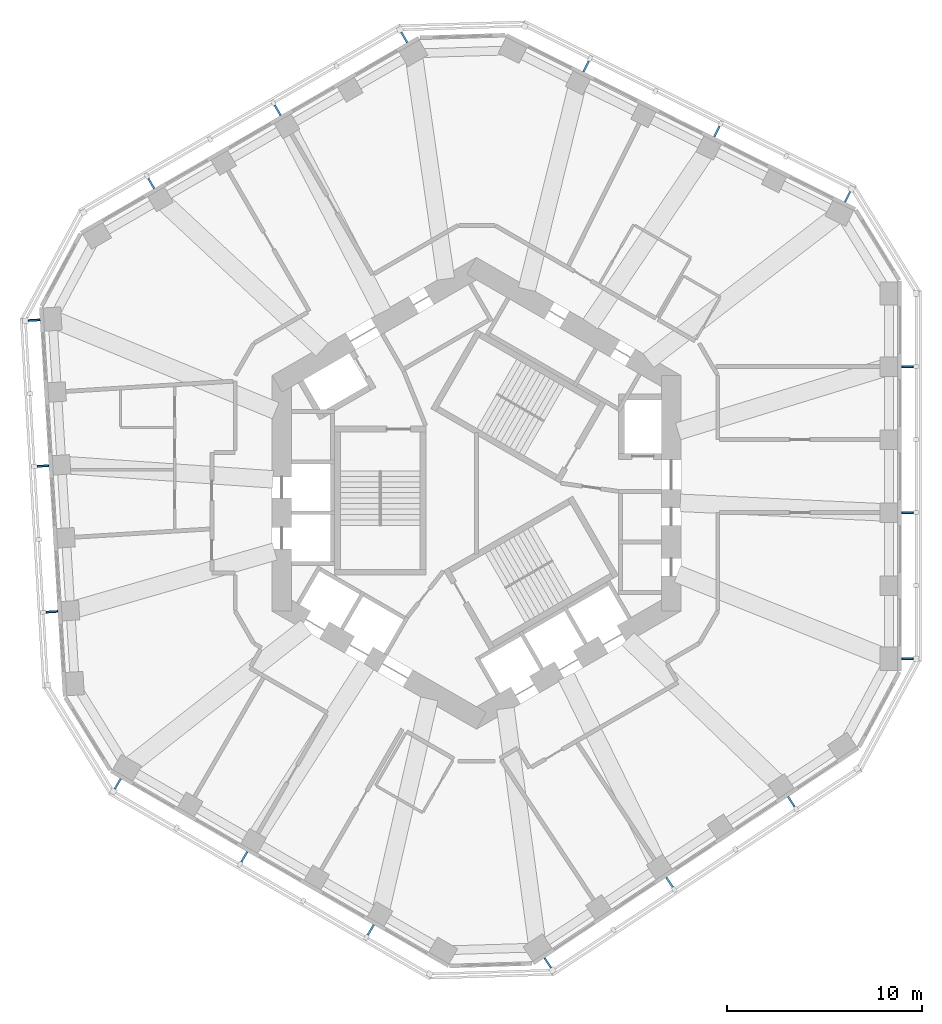
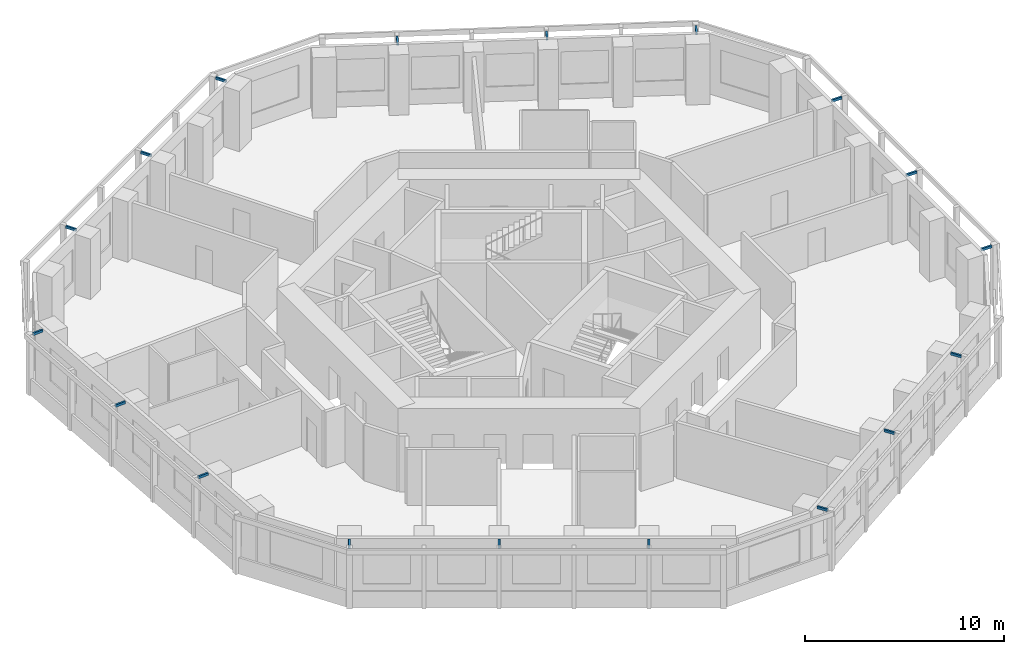
# One storey, part 9 of 10: 18 discrete accessories.
"""IFC4 building model written with IfcOpenShell, lengths in metres."""

import ifcopenshell
import ifcopenshell.guid

model = None  # the IFC model being written
_history = None  # IfcOwnerHistory: only IFC2X3 demands one
_inside = {}  # id of a spatial element -> (the spatial element, [elements in it])
_under = {}  # id of a project, library or spatial element -> (it, [spatial elements below it])
_declared = {}  # id of a project -> (the project, [libraries it declares])
_typed = {}  # id of a type object -> (the type object, [elements of that type])
_made_of = {}  # id of a material, layer set ... -> (it, [elements and type objects made of it])


def new_model(schema):
    """Start an empty IFC model of exactly this schema.

    Asked for "IFC4X3", IfcOpenShell would pick the latest addendum, in which some entities
    have other attributes; the version numbers below select the first issue.
    IFC2X3 requires an IfcOwnerHistory on every rooted entity: one is made here for all.
    """
    global model, _history
    if schema == "IFC4X3":
        model = ifcopenshell.file(schema_version=(4, 3, 0, 0))
    else:
        model = ifcopenshell.file(schema=schema)
    _inside.clear()
    _under.clear()
    _declared.clear()
    _typed.clear()
    _made_of.clear()
    _history = None
    if model.schema == "IFC2X3":
        org = make("IfcOrganization", Name="unknown")
        user = make(
            "IfcPersonAndOrganization",
            ThePerson=make("IfcPerson", FamilyName="unknown"),
            TheOrganization=org,
        )
        app = make(
            "IfcApplication",
            ApplicationDeveloper=org,
            Version="unknown",
            ApplicationFullName="unknown",
            ApplicationIdentifier="unknown",
        )
        _history = make(
            "IfcOwnerHistory",
            OwningUser=user,
            OwningApplication=app,
            ChangeAction="ADDED",
            CreationDate=0,
        )
    return model


def make(cls, **values):
    """One entity of the class cls with the attributes given. An attribute that is None is left unset."""
    return model.create_entity(
        cls, **{name: value for name, value in values.items() if value is not None}
    )


def rooted(cls, **values):
    """An entity with a GlobalId (a new one), such as an element, a storey or a relation."""
    return make(cls, GlobalId=ifcopenshell.guid.new(), OwnerHistory=_history, **values)


def si_unit(unit_type, name, prefix=None):
    """IfcSIUnit, for example si_unit("LENGTHUNIT", "METRE", prefix="MILLI")."""
    return make("IfcSIUnit", UnitType=unit_type, Prefix=prefix, Name=name)


def assignment(units):
    """IfcUnitAssignment: the units of a project."""
    return None if units is None else make("IfcUnitAssignment", Units=units)


def point(xyz):
    """IfcCartesianPoint."""
    return None if xyz is None else make("IfcCartesianPoint", Coordinates=xyz)


def direction(xyz):
    """IfcDirection."""
    return None if xyz is None else make("IfcDirection", DirectionRatios=xyz)


def frame(location, z_axis=None, x_axis=None):
    """IfcAxis2Placement3D, a coordinate frame: its origin and axes. An axis left out is left unset."""
    return make(
        "IfcAxis2Placement3D",
        Location=point(location),
        Axis=direction(z_axis),
        RefDirection=direction(x_axis),
    )


def frame_2d(location, x_axis=None):
    """IfcAxis2Placement2D, a coordinate frame in the plane: its origin and x axis."""
    return make(
        "IfcAxis2Placement2D", Location=point(location), RefDirection=direction(x_axis)
    )


def origin():
    """The frame at (0, 0, 0) with its axes left unset."""
    return frame((0.0, 0.0, 0.0))


def origin_2d():
    """The frame at (0, 0) in the plane with its x axis left unset."""
    return frame_2d((0.0, 0.0))


def place(relative_to, where):
    """IfcLocalPlacement: puts the frame where relative to a parent placement (None: the world)."""
    return make(
        "IfcLocalPlacement", PlacementRelTo=relative_to, RelativePlacement=where
    )


def context(
    kind, dimensions, precision=None, world=None, true_north=None, identifier=None
):
    """IfcGeometricRepresentationContext, for example the 3D "Model" context."""
    return make(
        "IfcGeometricRepresentationContext",
        ContextIdentifier=identifier,
        ContextType=kind,
        CoordinateSpaceDimension=dimensions,
        Precision=precision,
        WorldCoordinateSystem=world,
        TrueNorth=true_north,
    )


def subcontext(parent, identifier, kind, view, scale=None):
    """IfcGeometricRepresentationSubContext, for example "Body" below "Model"."""
    return make(
        "IfcGeometricRepresentationSubContext",
        ContextIdentifier=identifier,
        ContextType=kind,
        ParentContext=parent,
        TargetScale=scale,
        TargetView=view,
    )


def project(units=None, contexts=None):
    """IfcProject with its units and contexts."""
    return rooted(
        "IfcProject",
        Name="project",
        RepresentationContexts=contexts,
        UnitsInContext=assignment(units),
    )


def spatial(cls, under=None, at=None, **own):
    """A site, building, storey or space (cls), placed at a placement, below another one or the project."""
    s = rooted(cls, ObjectPlacement=at, **own)
    if under is not None:
        _under.setdefault(under.id(), (under, []))[1].append(s)
    return s


def profile(cls, at=None, kind="AREA", **sizes):
    """A parametric profile (cls). Its sizes go by their IFC names, for example OverallWidth=200.0."""
    return make(cls, ProfileType=kind, Position=at, **sizes)


def rectangle(**sizes):
    """IfcRectangleProfileDef."""
    return profile("IfcRectangleProfileDef", **sizes)


def extrude(swept, where, along, depth):
    """IfcExtrudedAreaSolid: the profile swept, set in the frame where, extruded along a direction by depth."""
    return make(
        "IfcExtrudedAreaSolid",
        SweptArea=swept,
        Position=where,
        ExtrudedDirection=direction(along),
        Depth=depth,
    )


def shape(context_of_items, identifier, shape_type, items):
    """IfcShapeRepresentation: the items that make up one representation, for example the "Body"."""
    return make(
        "IfcShapeRepresentation",
        ContextOfItems=context_of_items,
        RepresentationIdentifier=identifier,
        RepresentationType=shape_type,
        Items=items,
    )


def material(Name=None, Category=None):
    """IfcMaterial."""
    return make("IfcMaterial", Name=Name, Category=Category)


def made_of(thing, what):
    """Note that an element or type object is made of a material, layer set ...; save() writes the relation."""
    if what is not None:
        _made_of.setdefault(what.id(), (what, []))[1].append(thing)
    return thing


def type_object(cls, material=None, **own):
    """A type object (cls), such as IfcWallType, which elements share."""
    return made_of(rooted(cls, **own), material)


def element(
    cls,
    number,
    at=None,
    inside=None,
    cuts=None,
    type_object=None,
    material=None,
    context=None,
    identifier="Body",
    shape_type=None,
    held_by="IfcProductDefinitionShape",
    body=None,
    shapes=None,
    **own,
):
    """One element of the class cls, such as IfcWall. Its Tag is "e" and its number.

    at: its placement. inside: the storey or other place that contains it. cuts: it is an
    opening in that element (IfcRelVoidsElement). A single representation is given by context,
    identifier, shape_type and body (its items); several are given by shapes. held_by: the class
    of the entity that holds the representations. save() writes the other relations.
    """
    e = rooted(cls, Tag="e%d" % number, ObjectPlacement=at, **own)
    if body is not None:
        shapes = [shape(context, identifier, shape_type, body)]
    if shapes is not None:
        e.Representation = make(held_by, Representations=shapes)
    if inside is not None:
        _inside.setdefault(inside.id(), (inside, []))[1].append(e)
    if cuts is not None:
        rooted(
            "IfcRelVoidsElement", RelatingBuildingElement=cuts, RelatedOpeningElement=e
        )
    if type_object is not None:
        _typed.setdefault(type_object.id(), (type_object, []))[1].append(e)
    return made_of(e, material)


def aggregate(whole, parts):
    """IfcRelAggregates: a whole, such as a stair, and the parts it consists of."""
    return rooted("IfcRelAggregates", RelatingObject=whole, RelatedObjects=parts)


def save(model, path):
    """Write the relations noted so far, then the file.

    IfcRelAggregates (storeys below a building ...), IfcRelContainedInSpatialStructure (elements
    in a storey), IfcRelDefinesByType, IfcRelAssociatesMaterial and IfcRelDeclares: one each for
    every whole, place, type object, material and project.
    """
    for whole, parts in _under.values():
        aggregate(whole, parts)
    for where, things in _inside.values():
        rooted(
            "IfcRelContainedInSpatialStructure",
            RelatedElements=things,
            RelatingStructure=where,
        )
    for kind, things in _typed.values():
        rooted("IfcRelDefinesByType", RelatedObjects=things, RelatingType=kind)
    for what, things in _made_of.values():
        rooted("IfcRelAssociatesMaterial", RelatedObjects=things, RelatingMaterial=what)
    for by, libraries in _declared.values():
        rooted("IfcRelDeclares", RelatingContext=by, RelatedDefinitions=libraries)
    model.write(path)


model = new_model("IFC4")

# Units and contexts
model_context = context("Model", 3, precision=1e-05, world=origin(), true_north=direction((0.0, 1.0)))
body_context = subcontext(model_context, "Body", "Model", "MODEL_VIEW")
ifc_project = project(units=[si_unit("LENGTHUNIT", "METRE"), si_unit("AREAUNIT", "SQUARE_METRE"), si_unit("VOLUMEUNIT", "CUBIC_METRE"), si_unit("PLANEANGLEUNIT", "RADIAN"), si_unit("MASSUNIT", "GRAM", prefix="KILO")], contexts=[model_context])

# Site, building, storey
site_placement = place(None, origin())
site = spatial("IfcSite", under=ifc_project, at=site_placement, CompositionType="ELEMENT")
building_placement = place(site_placement, origin())
building = spatial("IfcBuilding", under=site, at=building_placement, Name="Vanh Sen Convention Tower", CompositionType="ELEMENT")
storey_placement = place(building_placement, frame((0.0, 0.0, 161.39990234375)))
storey = spatial("IfcBuildingStorey", under=building, at=storey_placement, Name="L39", CompositionType="ELEMENT", Elevation=161.39990234375)

# Discrete accessories
ifc_material = material(Name="Steel S355", Category="steel")
discrete_accessory_type = type_object("IfcDiscreteAccessoryType", Name="Fin bracket 100 x 150", PredefinedType="BRACKET", material=ifc_material)
for number, where, z_axis, x_axis, name in (
    (1, (22.14990234375, -8.5009765625, 3.500244140625), (0.0, 0.0, 1.0), (1.0, 0.0, 0.0), "Fin bracket E-1 L39"),
    (2, (22.14990234375, -0.992919921875, 3.500244140625), (0.0, 0.0, 1.0), (1.0, 0.0, 0.0), "Fin bracket E-3 L39"),
    (3, (22.14990234375, 6.515380859375, 3.500244140625), (0.0, 0.0, 1.0), (1.0, 0.0, 0.0), "Fin bracket E-5 L39"),
    (4, (19.073974609375, 15.240478515625, 3.500244140625), (0.0, 0.0, 1.0), (0.44619781311, 0.894934361602, 0.0), "Fin bracket NE-1 L39"),
    (5, (12.3544921875, 18.5908203125, 3.500244140625), (0.0, 0.0, 1.0), (0.44619781311, 0.894934361602, 0.0), "Fin bracket NE-3 L39"),
    (6, (5.635009765625, 21.94091796875, 3.500244140625), (0.0, 0.0, 1.0), (0.44619781311, 0.894934361602, 0.0), "Fin bracket NE-5 L39"),
    (7, (-3.712890625, 23.432861328125, 3.500244140625), (0.0, 0.0, 1.0), (-0.5, 0.866025403784, 0.0), "Fin bracket NW-1 L39"),
    (8, (-10.215087890625, 19.6787109375, 3.500244140625), (0.0, 0.0, 1.0), (-0.5, 0.866025403784, 0.0), "Fin bracket NW-3 L39"),
    (9, (-16.717529296875, 15.9248046875, 3.500244140625), (0.0, 0.0, 1.0), (-0.5, 0.866025403784, 0.0), "Fin bracket NW-5 L39"),
    (10, (-22.735595703125, 8.898193359375, 3.500244140625), (0.0, 0.0, 1.0), (-0.998134798422, -0.061048539535, 0.0), "Fin bracket W-1 L39"),
    (11, (-22.277099609375, 1.40380859375, 3.500244140625), (0.0, 0.0, 1.0), (-0.998134798422, -0.061048539535, 0.0), "Fin bracket W-3 L39"),
    (12, (-21.81884765625, -6.09033203125, 3.500244140625), (0.0, 0.0, 1.0), (-0.998134798422, -0.061048539535, 0.0), "Fin bracket W-5 L39"),
    (13, (-18.43701171875, -14.931884765625, 3.500244140625), (0.0, 0.0, 1.0), (-0.5, -0.866025403784, 0.0), "Fin bracket SW-1 L39"),
    (14, (-11.934814453125, -18.68603515625, 3.500244140625), (0.0, 0.0, 1.0), (-0.5, -0.866025403784, 0.0), "Fin bracket SW-3 L39"),
    (15, (-5.4326171875, -22.440185546875, 3.500244140625), (0.0, 0.0, 1.0), (-0.5, -0.866025403784, 0.0), "Fin bracket SW-5 L39"),
    (16, (3.66162109375, -24.138671875, 3.500244140625), (0.0, 0.0, 1.0), (0.551936985312, -0.833885822067, 0.0), "Fin bracket SE-1 L39"),
    (17, (9.922607421875, -19.99462890625, 3.500244140625), (0.0, 0.0, 1.0), (0.551936985312, -0.833885822067, 0.0), "Fin bracket SE-3 L39"),
    (18, (16.18359375, -15.8505859375, 3.500244140625), (0.0, 0.0, 1.0), (0.551936985312, -0.833885822067, 0.0), "Fin bracket SE-5 L39"),
):
    element("IfcDiscreteAccessory", number, at=place(storey_placement, frame(where, z_axis=z_axis, x_axis=x_axis)), inside=storey, type_object=discrete_accessory_type, Name=name, PredefinedType="BRACKET", context=body_context, shape_type="SweptSolid", body=[
        extrude(rectangle(XDim=0.60009765625, YDim=0.10009765625, at=origin_2d()), origin(), (0.0, 0.0, 1.0), 0.14990234375),
    ])

save(model, "model.ifc")
